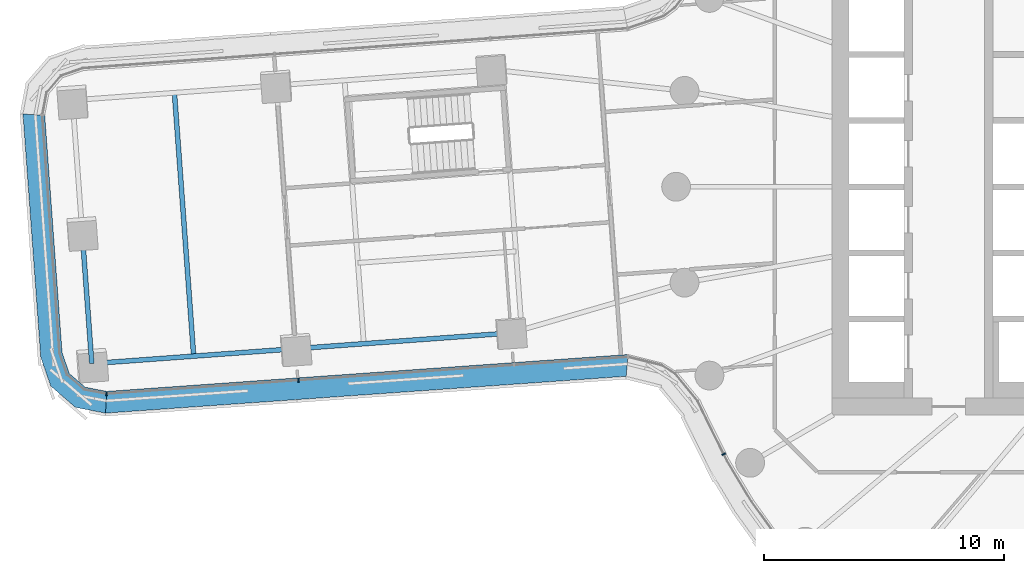
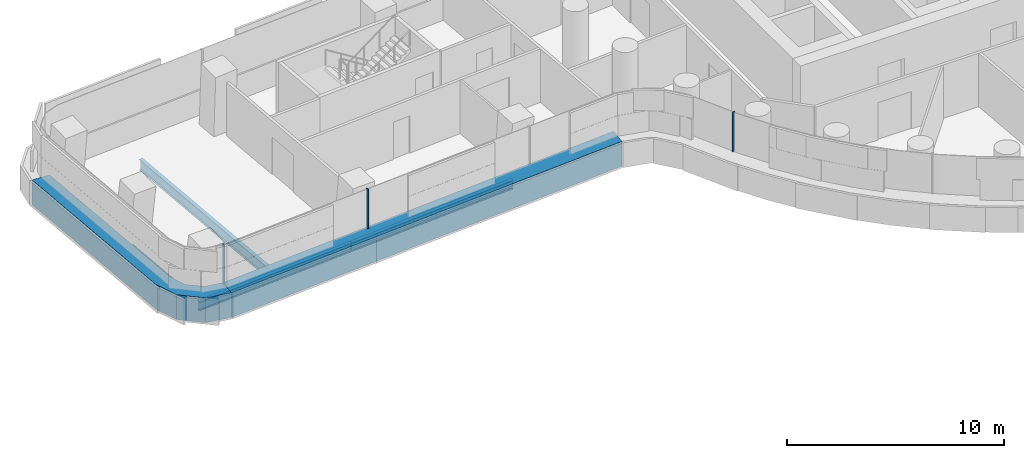
# One storey, part 4 of 31: 5 members, 4 beams, 3 elements without a shape of their own.
"""IFC4 building model written with IfcOpenShell, lengths in metres."""

import ifcopenshell
import ifcopenshell.guid

model = None  # the IFC model being written
_history = None  # IfcOwnerHistory: only IFC2X3 demands one
_inside = {}  # id of a spatial element -> (the spatial element, [elements in it])
_under = {}  # id of a project, library or spatial element -> (it, [spatial elements below it])
_declared = {}  # id of a project -> (the project, [libraries it declares])
_typed = {}  # id of a type object -> (the type object, [elements of that type])
_made_of = {}  # id of a material, layer set ... -> (it, [elements and type objects made of it])


def new_model(schema):
    """Start an empty IFC model of exactly this schema.

    Asked for "IFC4X3", IfcOpenShell would pick the latest addendum, in which some entities
    have other attributes; the version numbers below select the first issue.
    IFC2X3 requires an IfcOwnerHistory on every rooted entity: one is made here for all.
    """
    global model, _history
    if schema == "IFC4X3":
        model = ifcopenshell.file(schema_version=(4, 3, 0, 0))
    else:
        model = ifcopenshell.file(schema=schema)
    _inside.clear()
    _under.clear()
    _declared.clear()
    _typed.clear()
    _made_of.clear()
    _history = None
    if model.schema == "IFC2X3":
        org = make("IfcOrganization", Name="unknown")
        user = make(
            "IfcPersonAndOrganization",
            ThePerson=make("IfcPerson", FamilyName="unknown"),
            TheOrganization=org,
        )
        app = make(
            "IfcApplication",
            ApplicationDeveloper=org,
            Version="unknown",
            ApplicationFullName="unknown",
            ApplicationIdentifier="unknown",
        )
        _history = make(
            "IfcOwnerHistory",
            OwningUser=user,
            OwningApplication=app,
            ChangeAction="ADDED",
            CreationDate=0,
        )
    return model


def make(cls, **values):
    """One entity of the class cls with the attributes given. An attribute that is None is left unset."""
    return model.create_entity(
        cls, **{name: value for name, value in values.items() if value is not None}
    )


def rooted(cls, **values):
    """An entity with a GlobalId (a new one), such as an element, a storey or a relation."""
    return make(cls, GlobalId=ifcopenshell.guid.new(), OwnerHistory=_history, **values)


def si_unit(unit_type, name, prefix=None):
    """IfcSIUnit, for example si_unit("LENGTHUNIT", "METRE", prefix="MILLI")."""
    return make("IfcSIUnit", UnitType=unit_type, Prefix=prefix, Name=name)


def assignment(units):
    """IfcUnitAssignment: the units of a project."""
    return None if units is None else make("IfcUnitAssignment", Units=units)


def point(xyz):
    """IfcCartesianPoint."""
    return None if xyz is None else make("IfcCartesianPoint", Coordinates=xyz)


def direction(xyz):
    """IfcDirection."""
    return None if xyz is None else make("IfcDirection", DirectionRatios=xyz)


def frame(location, z_axis=None, x_axis=None):
    """IfcAxis2Placement3D, a coordinate frame: its origin and axes. An axis left out is left unset."""
    return make(
        "IfcAxis2Placement3D",
        Location=point(location),
        Axis=direction(z_axis),
        RefDirection=direction(x_axis),
    )


def frame_2d(location, x_axis=None):
    """IfcAxis2Placement2D, a coordinate frame in the plane: its origin and x axis."""
    return make(
        "IfcAxis2Placement2D", Location=point(location), RefDirection=direction(x_axis)
    )


def origin():
    """The frame at (0, 0, 0) with its axes left unset."""
    return frame((0.0, 0.0, 0.0))


def origin_2d():
    """The frame at (0, 0) in the plane with its x axis left unset."""
    return frame_2d((0.0, 0.0))


def place(relative_to, where):
    """IfcLocalPlacement: puts the frame where relative to a parent placement (None: the world)."""
    return make(
        "IfcLocalPlacement", PlacementRelTo=relative_to, RelativePlacement=where
    )


def context(
    kind, dimensions, precision=None, world=None, true_north=None, identifier=None
):
    """IfcGeometricRepresentationContext, for example the 3D "Model" context."""
    return make(
        "IfcGeometricRepresentationContext",
        ContextIdentifier=identifier,
        ContextType=kind,
        CoordinateSpaceDimension=dimensions,
        Precision=precision,
        WorldCoordinateSystem=world,
        TrueNorth=true_north,
    )


def subcontext(parent, identifier, kind, view, scale=None):
    """IfcGeometricRepresentationSubContext, for example "Body" below "Model"."""
    return make(
        "IfcGeometricRepresentationSubContext",
        ContextIdentifier=identifier,
        ContextType=kind,
        ParentContext=parent,
        TargetScale=scale,
        TargetView=view,
    )


def project(units=None, contexts=None):
    """IfcProject with its units and contexts."""
    return rooted(
        "IfcProject",
        Name="project",
        RepresentationContexts=contexts,
        UnitsInContext=assignment(units),
    )


def spatial(cls, under=None, at=None, **own):
    """A site, building, storey or space (cls), placed at a placement, below another one or the project."""
    s = rooted(cls, ObjectPlacement=at, **own)
    if under is not None:
        _under.setdefault(under.id(), (under, []))[1].append(s)
    return s


def polyline(points):
    """IfcPolyline through the points."""
    return make("IfcPolyline", Points=[point(p) for p in points])


def profile(cls, at=None, kind="AREA", **sizes):
    """A parametric profile (cls). Its sizes go by their IFC names, for example OverallWidth=200.0."""
    return make(cls, ProfileType=kind, Position=at, **sizes)


def rectangle(**sizes):
    """IfcRectangleProfileDef."""
    return profile("IfcRectangleProfileDef", **sizes)


def i_section(**sizes):
    """IfcIShapeProfileDef."""
    return profile("IfcIShapeProfileDef", **sizes)


def outline(outer, holes=None, kind="AREA"):
    """IfcArbitraryClosedProfileDef: a profile drawn as a closed curve; with holes, ...WithVoids."""
    if holes is None:
        return make("IfcArbitraryClosedProfileDef", ProfileType=kind, OuterCurve=outer)
    return make(
        "IfcArbitraryProfileDefWithVoids",
        ProfileType=kind,
        OuterCurve=outer,
        InnerCurves=holes,
    )


def extrude(swept, where, along, depth):
    """IfcExtrudedAreaSolid: the profile swept, set in the frame where, extruded along a direction by depth."""
    return make(
        "IfcExtrudedAreaSolid",
        SweptArea=swept,
        Position=where,
        ExtrudedDirection=direction(along),
        Depth=depth,
    )


def shape(context_of_items, identifier, shape_type, items):
    """IfcShapeRepresentation: the items that make up one representation, for example the "Body"."""
    return make(
        "IfcShapeRepresentation",
        ContextOfItems=context_of_items,
        RepresentationIdentifier=identifier,
        RepresentationType=shape_type,
        Items=items,
    )


def material(Name=None, Category=None):
    """IfcMaterial."""
    return make("IfcMaterial", Name=Name, Category=Category)


def layer(
    of_material, thickness, ventilated=None, Name=None, Category=None, Priority=None
):
    """IfcMaterialLayer: one layer of a wall or slab, of a material (None: an air gap)."""
    return make(
        "IfcMaterialLayer",
        Material=of_material,
        LayerThickness=thickness,
        IsVentilated=ventilated,
        Name=Name,
        Category=Category,
        Priority=Priority,
    )


def layer_set(layers, Name=None):
    """IfcMaterialLayerSet."""
    return make("IfcMaterialLayerSet", MaterialLayers=layers, LayerSetName=Name)


def material_profile(
    of_material, cross_section, Name=None, Category=None, Priority=None
):
    """IfcMaterialProfile: a cross section and its material."""
    return make(
        "IfcMaterialProfile",
        Name=Name,
        Material=of_material,
        Profile=cross_section,
        Priority=Priority,
        Category=Category,
    )


def profile_set(profiles, Name=None, composite=None):
    """IfcMaterialProfileSet."""
    return make(
        "IfcMaterialProfileSet",
        Name=Name,
        MaterialProfiles=profiles,
        CompositeProfile=composite,
    )


def made_of(thing, what):
    """Note that an element or type object is made of a material, layer set ...; save() writes the relation."""
    if what is not None:
        _made_of.setdefault(what.id(), (what, []))[1].append(thing)
    return thing


def type_object(cls, material=None, **own):
    """A type object (cls), such as IfcWallType, which elements share."""
    return made_of(rooted(cls, **own), material)


def element(
    cls,
    number,
    at=None,
    inside=None,
    cuts=None,
    type_object=None,
    material=None,
    context=None,
    identifier="Body",
    shape_type=None,
    held_by="IfcProductDefinitionShape",
    body=None,
    shapes=None,
    **own,
):
    """One element of the class cls, such as IfcWall. Its Tag is "e" and its number.

    at: its placement. inside: the storey or other place that contains it. cuts: it is an
    opening in that element (IfcRelVoidsElement). A single representation is given by context,
    identifier, shape_type and body (its items); several are given by shapes. held_by: the class
    of the entity that holds the representations. save() writes the other relations.
    """
    e = rooted(cls, Tag="e%d" % number, ObjectPlacement=at, **own)
    if body is not None:
        shapes = [shape(context, identifier, shape_type, body)]
    if shapes is not None:
        e.Representation = make(held_by, Representations=shapes)
    if inside is not None:
        _inside.setdefault(inside.id(), (inside, []))[1].append(e)
    if cuts is not None:
        rooted(
            "IfcRelVoidsElement", RelatingBuildingElement=cuts, RelatedOpeningElement=e
        )
    if type_object is not None:
        _typed.setdefault(type_object.id(), (type_object, []))[1].append(e)
    return made_of(e, material)


def aggregate(whole, parts):
    """IfcRelAggregates: a whole, such as a stair, and the parts it consists of."""
    return rooted("IfcRelAggregates", RelatingObject=whole, RelatedObjects=parts)


def save(model, path):
    """Write the relations noted so far, then the file.

    IfcRelAggregates (storeys below a building ...), IfcRelContainedInSpatialStructure (elements
    in a storey), IfcRelDefinesByType, IfcRelAssociatesMaterial and IfcRelDeclares: one each for
    every whole, place, type object, material and project.
    """
    for whole, parts in _under.values():
        aggregate(whole, parts)
    for where, things in _inside.values():
        rooted(
            "IfcRelContainedInSpatialStructure",
            RelatedElements=things,
            RelatingStructure=where,
        )
    for kind, things in _typed.values():
        rooted("IfcRelDefinesByType", RelatedObjects=things, RelatingType=kind)
    for what, things in _made_of.values():
        rooted("IfcRelAssociatesMaterial", RelatedObjects=things, RelatingMaterial=what)
    for by, libraries in _declared.values():
        rooted("IfcRelDeclares", RelatingContext=by, RelatedDefinitions=libraries)
    model.write(path)


model = new_model("IFC4")

# Units and contexts
model_context = context("Model", 3, precision=1e-05, world=origin(), true_north=direction((0.0, 1.0)))
body_context = subcontext(model_context, "Body", "Model", "MODEL_VIEW")
ifc_project = project(units=[si_unit("LENGTHUNIT", "METRE"), si_unit("AREAUNIT", "SQUARE_METRE"), si_unit("VOLUMEUNIT", "CUBIC_METRE"), si_unit("PLANEANGLEUNIT", "RADIAN"), si_unit("MASSUNIT", "GRAM", prefix="KILO")], contexts=[model_context])

# Site, building, storey
site_placement = place(None, origin())
site = spatial("IfcSite", under=ifc_project, at=site_placement, CompositionType="ELEMENT")
building_placement = place(site_placement, origin())
building = spatial("IfcBuilding", under=site, at=building_placement, Name="Tamarind Cross Interchange Tower", CompositionType="ELEMENT")
storey_placement = place(building_placement, frame((0.0, 0.0, 49.0)))
storey = spatial("IfcBuildingStorey", under=building, at=storey_placement, Name="L10", CompositionType="ELEMENT", Elevation=49.0)

# Beams
ifc_material_1 = material(Name="Steel Q355B", Category="steel")
ifc_material_profile_1 = material_profile(ifc_material_1, i_section(OverallWidth=0.198974609375, OverallDepth=0.49609375, WebThickness=0.009033203125, FlangeThickness=0.013916015625, FilletRadius=0.012939453125, at=origin_2d()), Name="HN 496x199x9x14")
ifc_profile_set_1 = profile_set([ifc_material_profile_1], Name="Steel Q355B")
beam_type_1 = type_object("IfcBeamType", Name="Composite beam HN 496x199x9x14 Q355B", PredefinedType="BEAM", material=ifc_profile_set_1)
beam_1_placement = place(storey_placement, frame((-47.34326171875, -7.366455078125, -0.387939453125), z_axis=(0.997341049734, 0.072875445216, 0.0), x_axis=(-0.072875445216, 0.997341049734, 0.0)))
element("IfcBeam", 1, at=beam_1_placement, inside=storey, type_object=beam_type_1, Name="Beam W-edgeep2", PredefinedType="BEAM", context=body_context, shape_type="SweptSolid", body=[
    extrude(i_section(OverallWidth=0.198974609375, OverallDepth=0.49609375, WebThickness=0.009033203125, FlangeThickness=0.013916015625, FilletRadius=0.012939453125, at=origin_2d()), origin(), (0.0, 0.0, 1.0), 8.5126953125),
])
beam_2_placement = place(storey_placement, frame((-38.853271484375, -6.74609375, -0.387939453125), z_axis=(0.997341999654, 0.072862443863, 0.0), x_axis=(-0.072862443863, 0.997341999654, 0.0)))
element("IfcBeam", 2, at=beam_2_placement, inside=storey, type_object=beam_type_1, Name="Beam W-edgeep3", PredefinedType="BEAM", context=body_context, shape_type="SweptSolid", body=[
    extrude(i_section(OverallWidth=0.198974609375, OverallDepth=0.49609375, WebThickness=0.009033203125, FlangeThickness=0.013916015625, FilletRadius=0.012939453125, at=origin_2d()), origin(), (0.0, 0.0, 1.0), 9.0),
])
ifc_material_profile_2 = material_profile(ifc_material_1, i_section(OverallWidth=0.199951171875, OverallDepth=0.60009765625, WebThickness=0.010986328125, FlangeThickness=0.01708984375, FilletRadius=0.012939453125, at=origin_2d()), Name="HN 600x200x11x17")
ifc_profile_set_2 = profile_set([ifc_material_profile_2], Name="Steel Q355B")
beam_type_2 = type_object("IfcBeamType", Name="Composite beam HN 600x200x11x17 Q355B", PredefinedType="BEAM", material=ifc_profile_set_2)
beam_3_placement = place(storey_placement, frame((-47.744140625, -1.881103515625, -0.43994140625), z_axis=(0.072887332088, -0.997340181092, 0.0), x_axis=(0.997340181092, 0.072887332088, 0.0)))
element("IfcBeam", 3, at=beam_3_placement, inside=storey, type_object=beam_type_2, Name="Beam W-tip1", PredefinedType="BEAM", context=body_context, shape_type="SweptSolid", body=[
    extrude(i_section(OverallWidth=0.199951171875, OverallDepth=0.60009765625, WebThickness=0.010986328125, FlangeThickness=0.01708984375, FilletRadius=0.012939453125, at=origin_2d()), origin(), (0.0, 0.0, 1.0), 5.5),
])
beam_4_placement = place(storey_placement, frame((-43.89990234375, 3.91455078125, -0.43994140625), z_axis=(0.072885718715, -0.997340298999, 0.0), x_axis=(0.997340298999, 0.072885718715, 0.0)))
element("IfcBeam", 4, at=beam_4_placement, inside=storey, type_object=beam_type_2, Name="Beam W-x436", PredefinedType="BEAM", context=body_context, shape_type="SweptSolid", body=[
    extrude(i_section(OverallWidth=0.199951171875, OverallDepth=0.60009765625, WebThickness=0.010986328125, FlangeThickness=0.01708984375, FilletRadius=0.012939453125, at=origin_2d()), origin(), (0.0, 0.0, 1.0), 11.000244140625),
])

# Curtain wall, member
ifc_material_2 = material(Name="Aluminium 6063-T6", Category="aluminium")
ifc_layer = layer(ifc_material_2, 0.159912109375)
ifc_layer_set = layer_set([ifc_layer], Name="Aluminium 6063-T6")
curtain_wall_type = type_object("IfcCurtainWallType", Name="Office curtain wall, 9.0 m bays", PredefinedType="NOTDEFINED", material=ifc_layer_set)
curtain_wall_1_placement = place(storey_placement, origin())
curtain_wall_1 = element("IfcCurtainWall", 5, at=curtain_wall_1_placement, inside=storey, type_object=curtain_wall_type, Name="CWS-L10-04", PredefinedType="NOTDEFINED")
ifc_material_3 = material(Name="Aluminium and insulated spandrel panel", Category="aluminium")
member_type_1 = type_object("IfcMemberType", Name="Floor-edge blade transom", PredefinedType="USERDEFINED", material=ifc_material_3)
member_1_placement = place(storey_placement, origin())
member_1 = element("IfcMember", 6, at=member_1_placement, type_object=member_type_1, Name="CWT-L10-04", ObjectType="TRANSOM", PredefinedType="USERDEFINED", context=body_context, shape_type="SweptSolid", body=[
    extrude(outline(polyline([(-49.302490234375, 2.978759765625), (-48.579345703125, -6.916015625), (-48.27880859375, -7.780517578125), (-47.616943359375, -8.35205078125), (-46.717529296875, -8.524169921875), (-46.77099609375, -9.43017578125), (-48.022705078125, -9.19091796875), (-49.049560546875, -8.303955078125), (-49.468505859375, -7.099609375), (-50.208740234375, 3.03125), (-49.302490234375, 2.978759765625)])), origin(), (0.0, 0.0, 1.0), 1.39990234375),
])
aggregate(curtain_wall_1, [member_1])

# Curtain wall, members
curtain_wall_2_placement = place(storey_placement, origin())
curtain_wall_2 = element("IfcCurtainWall", 7, at=curtain_wall_2_placement, inside=storey, type_object=curtain_wall_type, Name="CWS-L10-05", PredefinedType="NOTDEFINED")
member_2_placement = place(storey_placement, origin())
member_2 = element("IfcMember", 8, at=member_2_placement, type_object=member_type_1, Name="CWT-L10-05", ObjectType="TRANSOM", PredefinedType="USERDEFINED", context=body_context, shape_type="SweptSolid", body=[
    extrude(outline(polyline([(-46.717529296875, -8.524169921875), (-25.00146484375, -6.9873046875), (-25.080810546875, -7.89501953125), (-46.77099609375, -9.43017578125), (-46.717529296875, -8.524169921875)])), origin(), (0.0, 0.0, 1.0), 1.39990234375),
])
ifc_material_profile_3 = material_profile(ifc_material_2, rectangle(XDim=0.06005859375, YDim=0.159912109375, at=origin_2d()), Name="Mullion CW1")
ifc_profile_set_3 = profile_set([ifc_material_profile_3], Name="Aluminium 6063-T6")
member_type_2 = type_object("IfcMemberType", Name="Mullion CW1", PredefinedType="MULLION", material=ifc_profile_set_3)
member_3_placement = place(storey_placement, frame((-46.723388671875, -8.624755859375, 1.39990234375), z_axis=(0.0, 0.0, 1.0), x_axis=(0.998253924821, -0.059068617559, 0.0)))
member_3 = element("IfcMember", 9, at=member_3_placement, type_object=member_type_2, Name="CWM-L10-05-00", PredefinedType="MULLION", context=body_context, shape_type="SweptSolid", body=[
    extrude(rectangle(XDim=0.06005859375, YDim=0.159912109375, at=origin_2d()), origin(), (0.0, 0.0, 1.0), 2.210205078125),
])
member_4_placement = place(storey_placement, frame((-38.728515625, -8.058837890625, 1.39990234375), z_axis=(0.0, 0.0, 1.0), x_axis=(0.997505146966, 0.070593780008, 0.0)))
member_4 = element("IfcMember", 10, at=member_4_placement, type_object=member_type_2, Name="CWM-L10-05-01", PredefinedType="MULLION", context=body_context, shape_type="SweptSolid", body=[
    extrude(rectangle(XDim=0.06005859375, YDim=0.159912109375, at=origin_2d()), origin(), (0.0, 0.0, 1.0), 2.210205078125),
])
aggregate(curtain_wall_2, [member_3, member_4, member_2])

# Curtain wall, member
curtain_wall_3_placement = place(storey_placement, origin())
curtain_wall_3 = element("IfcCurtainWall", 11, at=curtain_wall_3_placement, inside=storey, type_object=curtain_wall_type, Name="CWS-L10-06", PredefinedType="NOTDEFINED")
member_5_placement = place(storey_placement, frame((-21.014404296875, -11.14111328125, 1.39990234375), z_axis=(0.0, 0.0, 1.0), x_axis=(0.443058811505, -0.896492548518, 0.0)))
member_5 = element("IfcMember", 12, at=member_5_placement, type_object=member_type_2, Name="CWM-L10-06-01", PredefinedType="MULLION", context=body_context, shape_type="SweptSolid", body=[
    extrude(rectangle(XDim=0.06005859375, YDim=0.159912109375, at=origin_2d()), origin(), (0.0, 0.0, 1.0), 2.210205078125),
])
aggregate(curtain_wall_3, [member_5])

save(model, "model.ifc")
